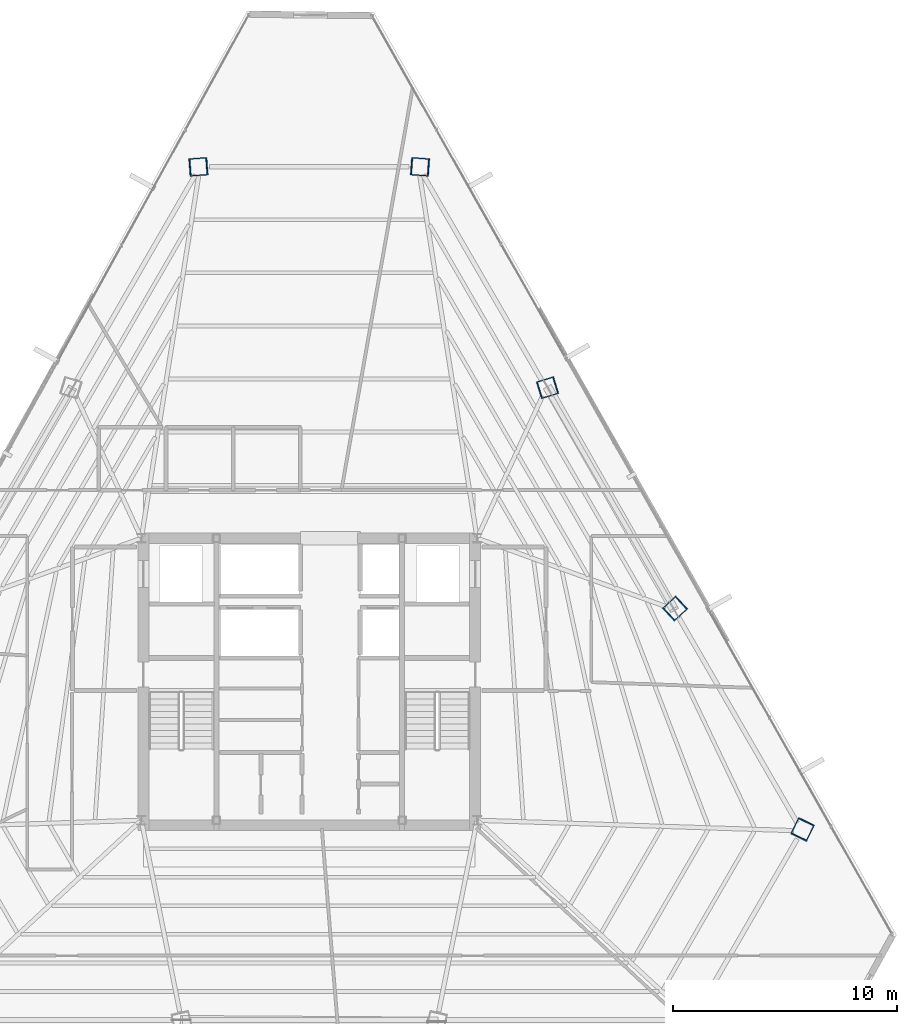
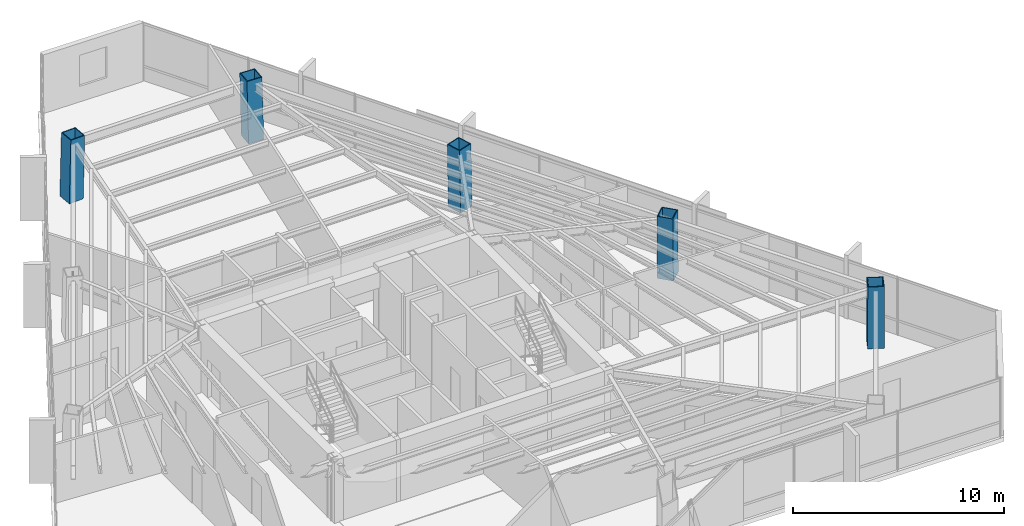
# One storey, part 2 of 41: 5 columns.
"""IFC4 building model written with IfcOpenShell, lengths in metres."""

from ifc_helpers import new_model, si_unit, direction, frame, origin, origin_2d, place, context, subcontext, project, spatial, hollow_rectangle, extrude, source, transform, mapped, material, material_profile, profile_set, type_object, type_shapes, element, save


model = new_model("IFC4")

# Units and contexts
model_context = context("Model", 3, precision=1e-05, world=origin(), true_north=direction((0.0, 1.0)))
body_context = subcontext(model_context, "Body", "Model", "MODEL_VIEW")
ifc_project = project(units=[si_unit("LENGTHUNIT", "METRE"), si_unit("AREAUNIT", "SQUARE_METRE"), si_unit("VOLUMEUNIT", "CUBIC_METRE"), si_unit("PLANEANGLEUNIT", "RADIAN"), si_unit("MASSUNIT", "GRAM", prefix="KILO")], contexts=[model_context])

# Site, building, storey
site_placement = place(None, origin())
site = spatial("IfcSite", under=ifc_project, at=site_placement, CompositionType="ELEMENT")
building_placement = place(site_placement, origin())
building = spatial("IfcBuilding", under=site, at=building_placement, Name="Caelisora Broadcast Tower", CompositionType="ELEMENT")
storey_placement = place(building_placement, frame((0.0, 0.0, 209.60009765625)))
storey = spatial("IfcBuildingStorey", under=building, at=storey_placement, Name="L55", CompositionType="ELEMENT", Elevation=209.60009765625)

# Columns
ifc_material = material(Name="Steel Grade 350 L15 (AS/NZS 3678)", Category="steel")
ifc_material_profile = material_profile(ifc_material, hollow_rectangle(XDim=0.800048828125, YDim=0.800048828125, WallThickness=0.044921875, at=origin_2d()), Name="Steel Grade 350 L15 (AS/NZS 3678)")
ifc_profile_set = profile_set([ifc_material_profile], Name="Steel Grade 350 L15 (AS/NZS 3678)")
column_type = type_object("IfcColumnType", Name="MC05", PredefinedType="COLUMN", material=ifc_profile_set)
shared_shape_1 = source(origin(), body_context, "Body", "SweptSolid", [
    extrude(hollow_rectangle(XDim=0.800048828125, YDim=0.800048828125, WallThickness=0.044921875, at=origin_2d()), origin(), (0.0, 0.0, 1.0), 3.65087890625),
])
for number, where, z_axis, x_axis, name in (
    (1, (42.9638671875, 46.59228515625, 0.0), (-0.023872756997, 0.001738632162, 0.999713493273), (-0.07263675076, -0.997358462359, 0.0), "L55 column MC05"),
    (2, (33.0361328125, 46.59228515625, 0.0), (0.023872756997, 0.001738632162, 0.999713493273), (-0.07263675076, 0.997358462359, 0.0), "L55 column MC05"),
    (3, (60.047607421875, 17.002685546875, 0.0), (-0.010431795422, -0.021532295679, 0.999713727968), (0.899947055326, -0.435999194506, 0.0), "L55 column MC05"),
):
    element("IfcColumn", number, at=place(storey_placement, frame(where, z_axis=z_axis, x_axis=x_axis)), inside=storey, type_object=column_type, Name=name, PredefinedType="COLUMN", context=body_context, shape_type="MappedRepresentation", body=[
        mapped(shared_shape_1, transform((0.0, 0.0, 0.0), scale=1.0)),
    ])
shared_shape_2 = source(origin(), body_context, "Body", "SweptSolid", [
    extrude(hollow_rectangle(XDim=0.800048828125, YDim=0.800048828125, WallThickness=0.044921875, at=origin_2d()), origin(), (0.0, 0.0, 1.0), 3.650634765625),
])
type_shapes(column_type, [shared_shape_1, shared_shape_2])
for number, where, z_axis, x_axis, name in (
    (4, (54.35302734375, 26.865966796875, 0.0), (-0.014913313399, -0.013776424037, 0.999793880369), (0.678553674548, -0.734550822447, 0.0), "L55 column MC05"),
    (5, (48.658447265625, 36.72900390625, 0.0), (-0.019394001249, -0.005951952107, 0.999794202314), (0.293390827749, -0.9559925848, 0.0), "L55 column MC05"),
):
    element("IfcColumn", number, at=place(storey_placement, frame(where, z_axis=z_axis, x_axis=x_axis)), inside=storey, type_object=column_type, Name=name, PredefinedType="COLUMN", context=body_context, shape_type="MappedRepresentation", body=[
        mapped(shared_shape_2, transform((0.0, 0.0, 0.0), scale=1.0)),
    ])

save(model, "model.ifc")
